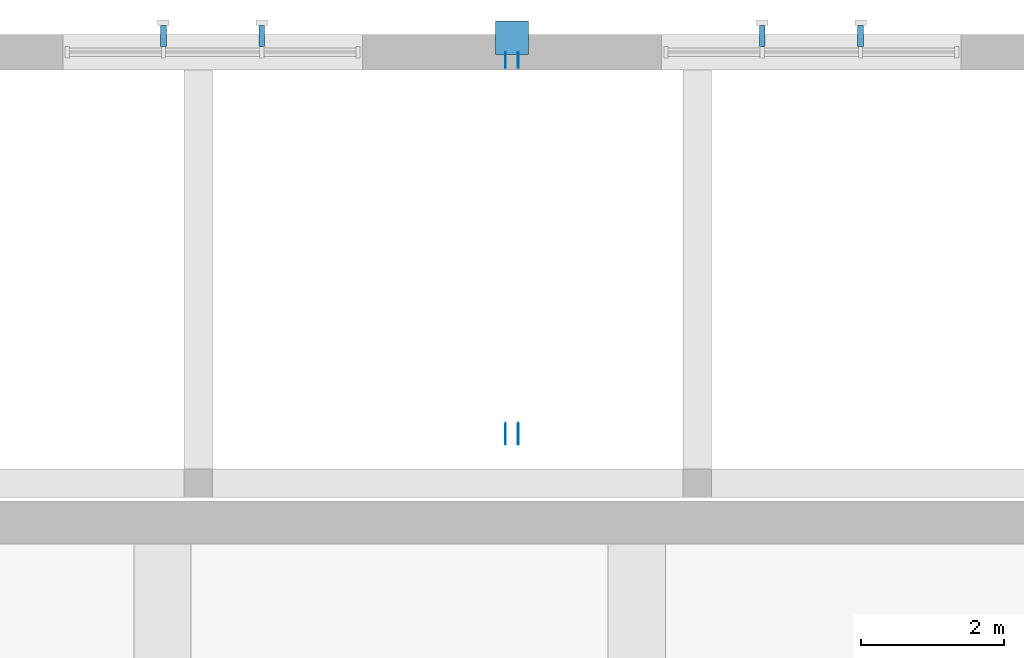
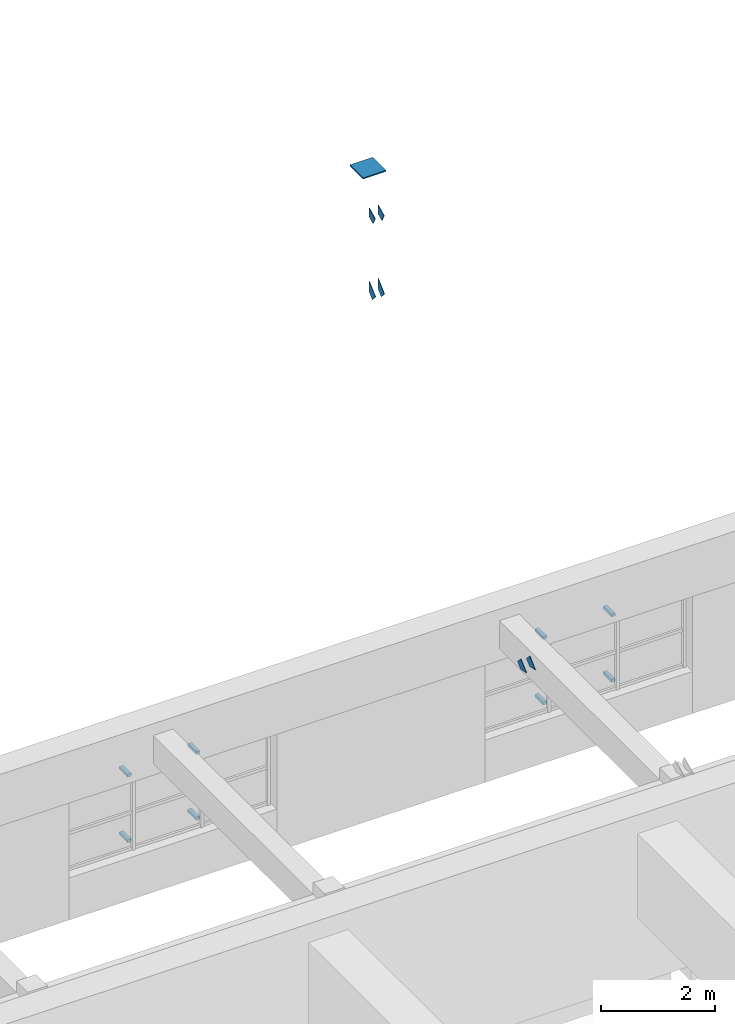
# One storey, part 22 of 28: 15 discrete accessories.
"""IFC4 building model written with IfcOpenShell, lengths in metres."""

import ifcopenshell
import ifcopenshell.guid

model = None  # the IFC model being written
_history = None  # IfcOwnerHistory: only IFC2X3 demands one
_inside = {}  # id of a spatial element -> (the spatial element, [elements in it])
_under = {}  # id of a project, library or spatial element -> (it, [spatial elements below it])
_declared = {}  # id of a project -> (the project, [libraries it declares])
_typed = {}  # id of a type object -> (the type object, [elements of that type])
_made_of = {}  # id of a material, layer set ... -> (it, [elements and type objects made of it])


def new_model(schema):
    """Start an empty IFC model of exactly this schema.

    Asked for "IFC4X3", IfcOpenShell would pick the latest addendum, in which some entities
    have other attributes; the version numbers below select the first issue.
    IFC2X3 requires an IfcOwnerHistory on every rooted entity: one is made here for all.
    """
    global model, _history
    if schema == "IFC4X3":
        model = ifcopenshell.file(schema_version=(4, 3, 0, 0))
    else:
        model = ifcopenshell.file(schema=schema)
    _inside.clear()
    _under.clear()
    _declared.clear()
    _typed.clear()
    _made_of.clear()
    _history = None
    if model.schema == "IFC2X3":
        org = make("IfcOrganization", Name="unknown")
        user = make(
            "IfcPersonAndOrganization",
            ThePerson=make("IfcPerson", FamilyName="unknown"),
            TheOrganization=org,
        )
        app = make(
            "IfcApplication",
            ApplicationDeveloper=org,
            Version="unknown",
            ApplicationFullName="unknown",
            ApplicationIdentifier="unknown",
        )
        _history = make(
            "IfcOwnerHistory",
            OwningUser=user,
            OwningApplication=app,
            ChangeAction="ADDED",
            CreationDate=0,
        )
    return model


def make(cls, **values):
    """One entity of the class cls with the attributes given. An attribute that is None is left unset."""
    return model.create_entity(
        cls, **{name: value for name, value in values.items() if value is not None}
    )


def rooted(cls, **values):
    """An entity with a GlobalId (a new one), such as an element, a storey or a relation."""
    return make(cls, GlobalId=ifcopenshell.guid.new(), OwnerHistory=_history, **values)


def si_unit(unit_type, name, prefix=None):
    """IfcSIUnit, for example si_unit("LENGTHUNIT", "METRE", prefix="MILLI")."""
    return make("IfcSIUnit", UnitType=unit_type, Prefix=prefix, Name=name)


def assignment(units):
    """IfcUnitAssignment: the units of a project."""
    return None if units is None else make("IfcUnitAssignment", Units=units)


def point(xyz):
    """IfcCartesianPoint."""
    return None if xyz is None else make("IfcCartesianPoint", Coordinates=xyz)


def direction(xyz):
    """IfcDirection."""
    return None if xyz is None else make("IfcDirection", DirectionRatios=xyz)


def frame(location, z_axis=None, x_axis=None):
    """IfcAxis2Placement3D, a coordinate frame: its origin and axes. An axis left out is left unset."""
    return make(
        "IfcAxis2Placement3D",
        Location=point(location),
        Axis=direction(z_axis),
        RefDirection=direction(x_axis),
    )


def frame_2d(location, x_axis=None):
    """IfcAxis2Placement2D, a coordinate frame in the plane: its origin and x axis."""
    return make(
        "IfcAxis2Placement2D", Location=point(location), RefDirection=direction(x_axis)
    )


def origin():
    """The frame at (0, 0, 0) with its axes left unset."""
    return frame((0.0, 0.0, 0.0))


def origin_2d():
    """The frame at (0, 0) in the plane with its x axis left unset."""
    return frame_2d((0.0, 0.0))


def place(relative_to, where):
    """IfcLocalPlacement: puts the frame where relative to a parent placement (None: the world)."""
    return make(
        "IfcLocalPlacement", PlacementRelTo=relative_to, RelativePlacement=where
    )


def context(
    kind, dimensions, precision=None, world=None, true_north=None, identifier=None
):
    """IfcGeometricRepresentationContext, for example the 3D "Model" context."""
    return make(
        "IfcGeometricRepresentationContext",
        ContextIdentifier=identifier,
        ContextType=kind,
        CoordinateSpaceDimension=dimensions,
        Precision=precision,
        WorldCoordinateSystem=world,
        TrueNorth=true_north,
    )


def subcontext(parent, identifier, kind, view, scale=None):
    """IfcGeometricRepresentationSubContext, for example "Body" below "Model"."""
    return make(
        "IfcGeometricRepresentationSubContext",
        ContextIdentifier=identifier,
        ContextType=kind,
        ParentContext=parent,
        TargetScale=scale,
        TargetView=view,
    )


def project(units=None, contexts=None):
    """IfcProject with its units and contexts."""
    return rooted(
        "IfcProject",
        Name="project",
        RepresentationContexts=contexts,
        UnitsInContext=assignment(units),
    )


def spatial(cls, under=None, at=None, **own):
    """A site, building, storey or space (cls), placed at a placement, below another one or the project."""
    s = rooted(cls, ObjectPlacement=at, **own)
    if under is not None:
        _under.setdefault(under.id(), (under, []))[1].append(s)
    return s


def polyline(points):
    """IfcPolyline through the points."""
    return make("IfcPolyline", Points=[point(p) for p in points])


def profile(cls, at=None, kind="AREA", **sizes):
    """A parametric profile (cls). Its sizes go by their IFC names, for example OverallWidth=200.0."""
    return make(cls, ProfileType=kind, Position=at, **sizes)


def rectangle(**sizes):
    """IfcRectangleProfileDef."""
    return profile("IfcRectangleProfileDef", **sizes)


def outline(outer, holes=None, kind="AREA"):
    """IfcArbitraryClosedProfileDef: a profile drawn as a closed curve; with holes, ...WithVoids."""
    if holes is None:
        return make("IfcArbitraryClosedProfileDef", ProfileType=kind, OuterCurve=outer)
    return make(
        "IfcArbitraryProfileDefWithVoids",
        ProfileType=kind,
        OuterCurve=outer,
        InnerCurves=holes,
    )


def extrude(swept, where, along, depth):
    """IfcExtrudedAreaSolid: the profile swept, set in the frame where, extruded along a direction by depth."""
    return make(
        "IfcExtrudedAreaSolid",
        SweptArea=swept,
        Position=where,
        ExtrudedDirection=direction(along),
        Depth=depth,
    )


def shape(context_of_items, identifier, shape_type, items):
    """IfcShapeRepresentation: the items that make up one representation, for example the "Body"."""
    return make(
        "IfcShapeRepresentation",
        ContextOfItems=context_of_items,
        RepresentationIdentifier=identifier,
        RepresentationType=shape_type,
        Items=items,
    )


def material(Name=None, Category=None):
    """IfcMaterial."""
    return make("IfcMaterial", Name=Name, Category=Category)


def layer(
    of_material, thickness, ventilated=None, Name=None, Category=None, Priority=None
):
    """IfcMaterialLayer: one layer of a wall or slab, of a material (None: an air gap)."""
    return make(
        "IfcMaterialLayer",
        Material=of_material,
        LayerThickness=thickness,
        IsVentilated=ventilated,
        Name=Name,
        Category=Category,
        Priority=Priority,
    )


def layer_set(layers, Name=None):
    """IfcMaterialLayerSet."""
    return make("IfcMaterialLayerSet", MaterialLayers=layers, LayerSetName=Name)


def made_of(thing, what):
    """Note that an element or type object is made of a material, layer set ...; save() writes the relation."""
    if what is not None:
        _made_of.setdefault(what.id(), (what, []))[1].append(thing)
    return thing


def type_object(cls, material=None, **own):
    """A type object (cls), such as IfcWallType, which elements share."""
    return made_of(rooted(cls, **own), material)


def element(
    cls,
    number,
    at=None,
    inside=None,
    cuts=None,
    type_object=None,
    material=None,
    context=None,
    identifier="Body",
    shape_type=None,
    held_by="IfcProductDefinitionShape",
    body=None,
    shapes=None,
    **own,
):
    """One element of the class cls, such as IfcWall. Its Tag is "e" and its number.

    at: its placement. inside: the storey or other place that contains it. cuts: it is an
    opening in that element (IfcRelVoidsElement). A single representation is given by context,
    identifier, shape_type and body (its items); several are given by shapes. held_by: the class
    of the entity that holds the representations. save() writes the other relations.
    """
    e = rooted(cls, Tag="e%d" % number, ObjectPlacement=at, **own)
    if body is not None:
        shapes = [shape(context, identifier, shape_type, body)]
    if shapes is not None:
        e.Representation = make(held_by, Representations=shapes)
    if inside is not None:
        _inside.setdefault(inside.id(), (inside, []))[1].append(e)
    if cuts is not None:
        rooted(
            "IfcRelVoidsElement", RelatingBuildingElement=cuts, RelatedOpeningElement=e
        )
    if type_object is not None:
        _typed.setdefault(type_object.id(), (type_object, []))[1].append(e)
    return made_of(e, material)


def aggregate(whole, parts):
    """IfcRelAggregates: a whole, such as a stair, and the parts it consists of."""
    return rooted("IfcRelAggregates", RelatingObject=whole, RelatedObjects=parts)


def save(model, path):
    """Write the relations noted so far, then the file.

    IfcRelAggregates (storeys below a building ...), IfcRelContainedInSpatialStructure (elements
    in a storey), IfcRelDefinesByType, IfcRelAssociatesMaterial and IfcRelDeclares: one each for
    every whole, place, type object, material and project.
    """
    for whole, parts in _under.values():
        aggregate(whole, parts)
    for where, things in _inside.values():
        rooted(
            "IfcRelContainedInSpatialStructure",
            RelatedElements=things,
            RelatingStructure=where,
        )
    for kind, things in _typed.values():
        rooted("IfcRelDefinesByType", RelatedObjects=things, RelatingType=kind)
    for what, things in _made_of.values():
        rooted("IfcRelAssociatesMaterial", RelatedObjects=things, RelatingMaterial=what)
    for by, libraries in _declared.values():
        rooted("IfcRelDeclares", RelatingContext=by, RelatedDefinitions=libraries)
    model.write(path)


model = new_model("IFC4")

# Units and contexts
model_context = context("Model", 3, precision=1e-05, world=origin(), true_north=direction((0.0, 1.0)))
body_context = subcontext(model_context, "Body", "Model", "MODEL_VIEW")
ifc_project = project(units=[si_unit("LENGTHUNIT", "METRE"), si_unit("AREAUNIT", "SQUARE_METRE"), si_unit("VOLUMEUNIT", "CUBIC_METRE"), si_unit("PLANEANGLEUNIT", "RADIAN"), si_unit("MASSUNIT", "GRAM", prefix="KILO")], contexts=[model_context])

# Site, building, storey
site_placement = place(None, origin())
site = spatial("IfcSite", under=ifc_project, at=site_placement, CompositionType="ELEMENT")
building_placement = place(site_placement, origin())
building = spatial("IfcBuilding", under=site, at=building_placement, Name="Ljudholm Concert House", CompositionType="ELEMENT")
storey_placement = place(building_placement, frame((0.0, 0.0, 19.199951171875)))
storey = spatial("IfcBuildingStorey", under=building, at=storey_placement, Name="L04", CompositionType="ELEMENT", Elevation=19.199951171875)

# Discrete accessories
ifc_material_1 = material(Name="Stainless steel bracket", Category="steel")
discrete_accessory_type_1 = type_object("IfcDiscreteAccessoryType", Name="BRACKET 290", PredefinedType="BRACKET", material=ifc_material_1)
for number, where, z_axis, x_axis, name in (
    (1, (49.510009765625, 96.625, 0.969970703125), (0.0, 0.0, 1.0), (0.0, 1.0, 0.0), "Fin bracket"),
    (2, (49.510009765625, 96.625, 2.3701171875), (0.0, 0.0, 1.0), (0.0, 1.0, 0.0), "Fin bracket"),
    (3, (50.889892578125, 96.625, 0.969970703125), (0.0, 0.0, 1.0), (0.0, 1.0, 0.0), "Fin bracket"),
    (4, (50.889892578125, 96.625, 2.3701171875), (0.0, 0.0, 1.0), (0.0, 1.0, 0.0), "Fin bracket"),
    (5, (57.909912109375, 96.625, 0.969970703125), (0.0, 0.0, 1.0), (0.0, 1.0, 0.0), "Fin bracket"),
    (6, (57.909912109375, 96.625, 2.3701171875), (0.0, 0.0, 1.0), (0.0, 1.0, 0.0), "Fin bracket"),
    (7, (59.2900390625, 96.625, 0.969970703125), (0.0, 0.0, 1.0), (0.0, 1.0, 0.0), "Fin bracket"),
    (8, (59.2900390625, 96.625, 2.3701171875), (0.0, 0.0, 1.0), (0.0, 1.0, 0.0), "Fin bracket"),
):
    element("IfcDiscreteAccessory", number, at=place(storey_placement, frame(where, z_axis=z_axis, x_axis=x_axis)), inside=storey, type_object=discrete_accessory_type_1, Name=name, PredefinedType="BRACKET", context=body_context, shape_type="SweptSolid", body=[
        extrude(rectangle(XDim=0.2900390625, YDim=0.080078125, at=origin_2d()), origin(), (0.0, 0.0, 1.0), 0.06005859375),
    ])
ifc_material_2 = material(Name="Steel ASTM A36 plate", Category="steel")
ifc_layer_1 = layer(ifc_material_2, 0.011962890625)
ifc_layer_set_1 = layer_set([ifc_layer_1], Name="Steel ASTM A36 plate")
discrete_accessory_type_2 = type_object("IfcDiscreteAccessoryType", Name="GUSSET PLATE 12", PredefinedType="BRACKET", material=ifc_layer_set_1)
for number, where, z_axis, x_axis, name in (
    (9, (54.489990234375, 96.340087890625, -19.199951171875), (0.0, 0.0, 1.0), (0.0, -1.0, 0.0), "Gusset plate"),
    (10, (54.309814453125, 96.340087890625, -19.199951171875), (0.0, 0.0, 1.0), (0.0, -1.0, 0.0), "Gusset plate"),
):
    element("IfcDiscreteAccessory", number, at=place(storey_placement, frame(where, z_axis=z_axis, x_axis=x_axis)), inside=storey, type_object=discrete_accessory_type_2, Name=name, PredefinedType="BRACKET", context=body_context, shape_type="SweptSolid", body=[
        extrude(outline(polyline([(0.053955078125, 30.19921875), (-0.056884765625, 30.30029296875), (-0.056884765625, 30.5283203125), (0.16748046875, 30.323486328125), (0.053955078125, 30.19921875)])), frame((0.0, 0.005859375, 0.0), z_axis=(0.0, -1.0, 0.0), x_axis=(1.0, 0.0, 0.0)), (0.0, 0.0, 1.0), 0.011962890625),
    ])
for number, where, z_axis, x_axis, name in (
    (11, (54.489990234375, 96.340087890625, -19.199951171875), (0.0, 0.0, 1.0), (0.0, -1.0, 0.0), "Gusset plate"),
    (12, (54.309814453125, 96.340087890625, -19.199951171875), (0.0, 0.0, 1.0), (0.0, -1.0, 0.0), "Gusset plate"),
):
    element("IfcDiscreteAccessory", number, at=place(storey_placement, frame(where, z_axis=z_axis, x_axis=x_axis)), inside=storey, type_object=discrete_accessory_type_2, Name=name, PredefinedType="BRACKET", context=body_context, shape_type="SweptSolid", body=[
        extrude(outline(polyline([(5.250732421875, 25.67919921875), (5.451904296875, 25.495361328125), (5.247802734375, 25.453857421875), (5.13720703125, 25.554931640625), (5.250732421875, 25.67919921875)])), frame((0.0, 0.005859375, 0.0), z_axis=(0.0, -1.0, 0.0), x_axis=(1.0, 0.0, 0.0)), (0.0, 0.0, 1.0), 0.011962890625),
    ])
for number, where, z_axis, x_axis, name in (
    (13, (54.489990234375, 96.359375, -19.199951171875), (0.0, 0.0, 1.0), (0.0, -1.0, 0.0), "Gusset plate"),
    (14, (54.309814453125, 96.359375, -19.199951171875), (0.0, 0.0, 1.0), (0.0, -1.0, 0.0), "Gusset plate"),
):
    element("IfcDiscreteAccessory", number, at=place(storey_placement, frame(where, z_axis=z_axis, x_axis=x_axis)), inside=storey, type_object=discrete_accessory_type_2, Name=name, PredefinedType="BRACKET", context=body_context, shape_type="SweptSolid", body=[
        extrude(outline(polyline([(0.096923828125, 31.8388671875), (-0.037353515625, 31.905517578125), (-0.037353515625, 32.09326171875), (0.171875, 31.989501953125), (0.096923828125, 31.8388671875)])), frame((0.0, 0.005859375, 0.0), z_axis=(0.0, -1.0, 0.0), x_axis=(1.0, 0.0, 0.0)), (0.0, 0.0, 1.0), 0.011962890625),
    ])
ifc_material_3 = material(Name="Steel ASTM A36 plate", Category="steel")
ifc_layer_2 = layer(ifc_material_3, 0.02490234375)
ifc_layer_set_2 = layer_set([ifc_layer_2], Name="Steel ASTM A36 plate")
discrete_accessory_type_3 = type_object("IfcDiscreteAccessoryType", Name="MAST CAP PLATE 25", PredefinedType="BRACKET", material=ifc_layer_set_2)
discrete_accessory_placement = place(storey_placement, frame((54.39990234375, 96.60009765625, 13.5751953125), z_axis=(0.0, 0.0, 1.0), x_axis=(1.0, 0.0, 0.0)))
element("IfcDiscreteAccessory", 15, at=discrete_accessory_placement, inside=storey, type_object=discrete_accessory_type_3, Name="Mast cap plate", PredefinedType="BRACKET", context=body_context, shape_type="SweptSolid", body=[
    extrude(rectangle(XDim=0.46630859375, YDim=0.46630859375, at=origin_2d()), origin(), (0.0, 0.0, 1.0), 0.02490234375),
])

save(model, "model.ifc")
